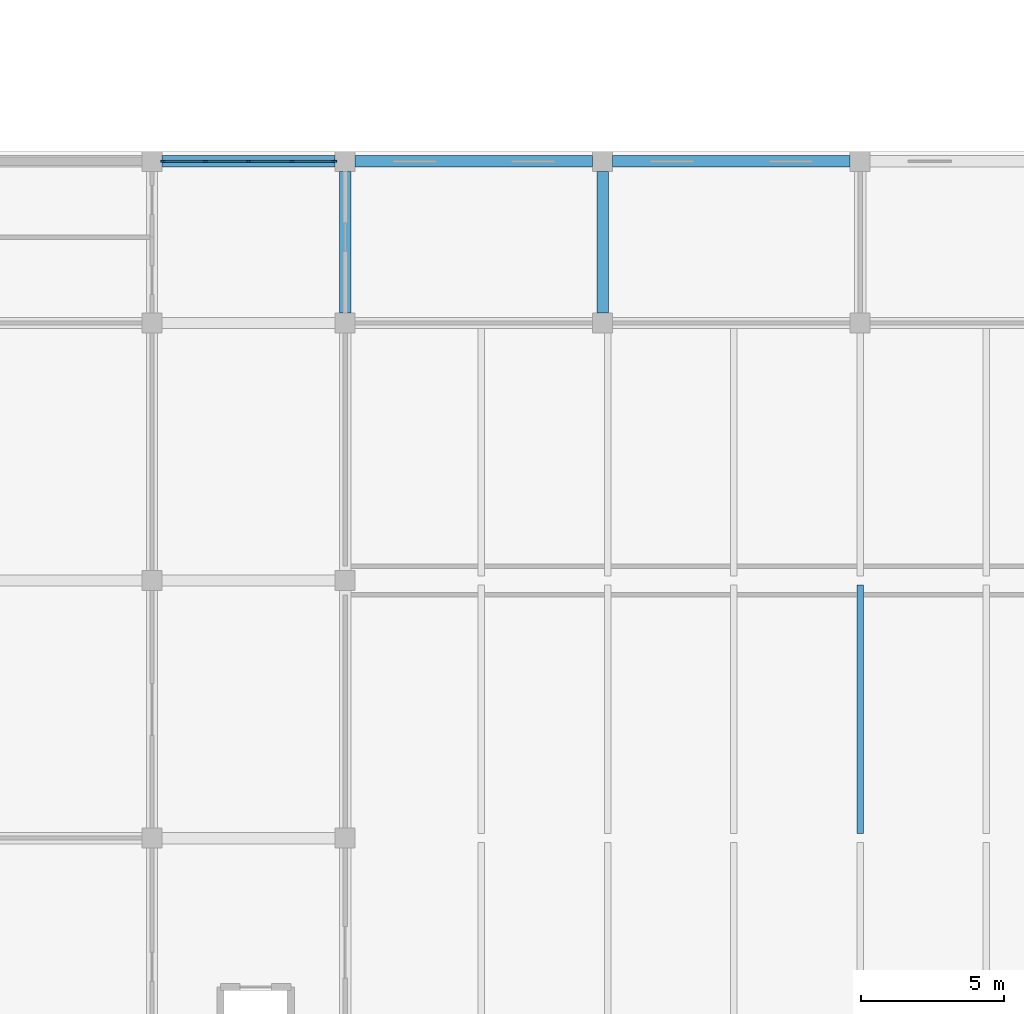
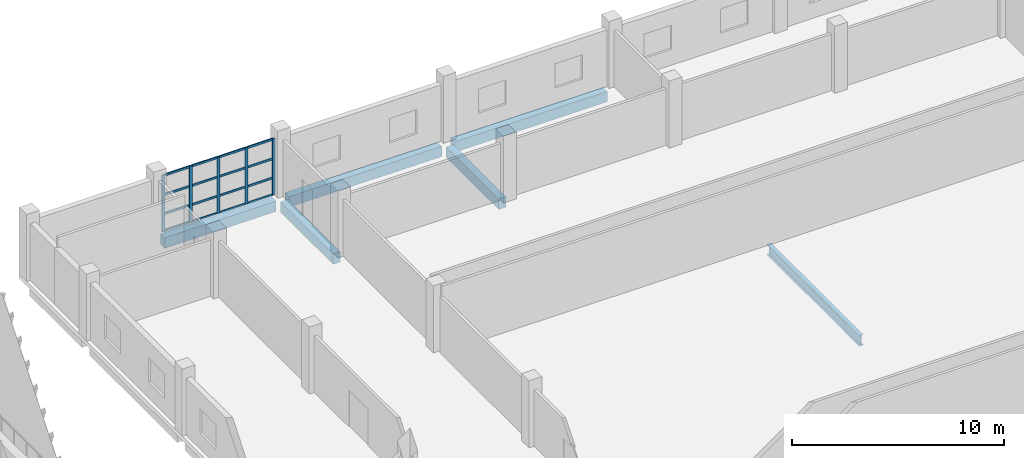
# One storey, part 6 of 31: 21 members, 6 beams, 1 element without a shape of its own.
"""IFC4 building model written with IfcOpenShell, lengths in metres."""

from ifc_helpers import new_model, si_unit, direction, frame, origin, origin_2d, place, context, subcontext, project, spatial, rectangle, i_section, extrude, material, layer, layer_set, material_profile, profile_set, type_object, element, aggregate, save


model = new_model("IFC4")

# Units and contexts
model_context = context("Model", 3, precision=1e-05, world=origin(), true_north=direction((0.0, 1.0)))
body_context = subcontext(model_context, "Body", "Model", "MODEL_VIEW")
ifc_project = project(units=[si_unit("LENGTHUNIT", "METRE"), si_unit("AREAUNIT", "SQUARE_METRE"), si_unit("VOLUMEUNIT", "CUBIC_METRE"), si_unit("PLANEANGLEUNIT", "RADIAN"), si_unit("MASSUNIT", "GRAM", prefix="KILO")], contexts=[model_context])

# Site, building, storey
site_placement = place(None, origin())
site = spatial("IfcSite", under=ifc_project, at=site_placement, CompositionType="ELEMENT")
building_placement = place(site_placement, origin())
building = spatial("IfcBuilding", under=site, at=building_placement, Name="Corbel Stack Research Tower", CompositionType="ELEMENT")
storey_placement = place(building_placement, frame((0.0, 0.0, 15.39990234375)))
storey = spatial("IfcBuildingStorey", under=building, at=storey_placement, Name="L03", CompositionType="ELEMENT", Elevation=15.39990234375)

# Curtain wall, members
ifc_material_1 = material(Name="Aluminium", Category="aluminium")
ifc_layer = layer(ifc_material_1, 0.14990234375)
ifc_layer_set = layer_set([ifc_layer], Name="Aluminium")
curtain_wall_type = type_object("IfcCurtainWallType", Name="CW5 main facade curtain wall", PredefinedType="NOTDEFINED", material=ifc_layer_set)
curtain_wall_placement = place(storey_placement, origin())
curtain_wall = element("IfcCurtainWall", 1, at=curtain_wall_placement, inside=storey, type_object=curtain_wall_type, Name="Main facade curtain wall L03 2", PredefinedType="NOTDEFINED")
ifc_material_2 = material(Name="Aluminium", Category="aluminium")
ifc_material_profile_1 = material_profile(ifc_material_2, rectangle(XDim=0.06005859375, YDim=0.159912109375, at=origin_2d()), Name="Mullion 60 x 160")
ifc_profile_set_1 = profile_set([ifc_material_profile_1], Name="Aluminium")
member_type_1 = type_object("IfcMemberType", Name="CW5 mullion 60 x 160", PredefinedType="MULLION", material=ifc_profile_set_1)
member_1_placement = place(storey_placement, frame((44.580078125, 23.64990234375, 0.0), z_axis=(0.0, 0.0, 1.0), x_axis=(0.0, 1.0, 0.0)))
member_1 = element("IfcMember", 2, at=member_1_placement, type_object=member_type_1, Name="CW5 mullion 1", PredefinedType="MULLION", context=body_context, shape_type="SweptSolid", body=[
    extrude(rectangle(XDim=0.06005859375, YDim=0.159912109375, at=origin_2d()), origin(), (0.0, 0.0, 1.0), 3.25),
])
member_2_placement = place(storey_placement, frame((46.0625, 23.64990234375, 0.0), z_axis=(0.0, 0.0, 1.0), x_axis=(0.0, 1.0, 0.0)))
member_2 = element("IfcMember", 3, at=member_2_placement, type_object=member_type_1, Name="CW5 mullion 2", PredefinedType="MULLION", context=body_context, shape_type="SweptSolid", body=[
    extrude(rectangle(XDim=0.06005859375, YDim=0.159912109375, at=origin_2d()), origin(), (0.0, 0.0, 1.0), 3.25),
])
member_3_placement = place(storey_placement, frame((47.574951171875, 23.64990234375, 0.0), z_axis=(0.0, 0.0, 1.0), x_axis=(0.0, 1.0, 0.0)))
member_3 = element("IfcMember", 4, at=member_3_placement, type_object=member_type_1, Name="CW5 mullion 3", PredefinedType="MULLION", context=body_context, shape_type="SweptSolid", body=[
    extrude(rectangle(XDim=0.06005859375, YDim=0.159912109375, at=origin_2d()), origin(), (0.0, 0.0, 1.0), 3.25),
])
member_4_placement = place(storey_placement, frame((49.08740234375, 23.64990234375, 0.0), z_axis=(0.0, 0.0, 1.0), x_axis=(0.0, 1.0, 0.0)))
member_4 = element("IfcMember", 5, at=member_4_placement, type_object=member_type_1, Name="CW5 mullion 4", PredefinedType="MULLION", context=body_context, shape_type="SweptSolid", body=[
    extrude(rectangle(XDim=0.06005859375, YDim=0.159912109375, at=origin_2d()), origin(), (0.0, 0.0, 1.0), 3.25),
])
member_5_placement = place(storey_placement, frame((50.570068359375, 23.64990234375, 0.0), z_axis=(0.0, 0.0, 1.0), x_axis=(0.0, 1.0, 0.0)))
member_5 = element("IfcMember", 6, at=member_5_placement, type_object=member_type_1, Name="CW5 mullion 5", PredefinedType="MULLION", context=body_context, shape_type="SweptSolid", body=[
    extrude(rectangle(XDim=0.06005859375, YDim=0.159912109375, at=origin_2d()), origin(), (0.0, 0.0, 1.0), 3.25),
])
ifc_material_3 = material(Name="Aluminium", Category="aluminium")
ifc_material_profile_2 = material_profile(ifc_material_3, rectangle(XDim=0.06005859375, YDim=0.1201171875, at=origin_2d()), Name="Transom 60 x 120")
ifc_profile_set_2 = profile_set([ifc_material_profile_2], Name="Aluminium")
member_type_2 = type_object("IfcMemberType", Name="CW5 transom 60 x 120", PredefinedType="USERDEFINED", material=ifc_profile_set_2)
member_6_placement = place(storey_placement, frame((44.610107421875, 23.64990234375, 0.030029296875), z_axis=(1.0, 0.0, 0.0), x_axis=(0.0, 1.0, 0.0)))
member_6 = element("IfcMember", 7, at=member_6_placement, type_object=member_type_2, Name="CW5 transom 1.1", ObjectType="TRANSOM", PredefinedType="USERDEFINED", context=body_context, shape_type="SweptSolid", body=[
    extrude(rectangle(XDim=0.06005859375, YDim=0.1201171875, at=origin_2d()), origin(), (0.0, 0.0, 1.0), 1.42236328125),
])
member_7_placement = place(storey_placement, frame((44.610107421875, 23.64990234375, 1.0), z_axis=(1.0, 0.0, 0.0), x_axis=(0.0, 1.0, 0.0)))
member_7 = element("IfcMember", 8, at=member_7_placement, type_object=member_type_2, Name="CW5 transom 1.2", ObjectType="TRANSOM", PredefinedType="USERDEFINED", context=body_context, shape_type="SweptSolid", body=[
    extrude(rectangle(XDim=0.06005859375, YDim=0.1201171875, at=origin_2d()), origin(), (0.0, 0.0, 1.0), 1.42236328125),
])
member_8_placement = place(storey_placement, frame((44.610107421875, 23.64990234375, 2.10009765625), z_axis=(1.0, 0.0, 0.0), x_axis=(0.0, 1.0, 0.0)))
member_8 = element("IfcMember", 9, at=member_8_placement, type_object=member_type_2, Name="CW5 transom 1.3", ObjectType="TRANSOM", PredefinedType="USERDEFINED", context=body_context, shape_type="SweptSolid", body=[
    extrude(rectangle(XDim=0.06005859375, YDim=0.1201171875, at=origin_2d()), origin(), (0.0, 0.0, 1.0), 1.42236328125),
])
member_9_placement = place(storey_placement, frame((44.610107421875, 23.64990234375, 3.22021484375), z_axis=(1.0, 0.0, 0.0), x_axis=(0.0, 1.0, 0.0)))
member_9 = element("IfcMember", 10, at=member_9_placement, type_object=member_type_2, Name="CW5 transom 1.4", ObjectType="TRANSOM", PredefinedType="USERDEFINED", context=body_context, shape_type="SweptSolid", body=[
    extrude(rectangle(XDim=0.06005859375, YDim=0.1201171875, at=origin_2d()), origin(), (0.0, 0.0, 1.0), 1.42236328125),
])
member_10_placement = place(storey_placement, frame((46.092529296875, 23.64990234375, 0.030029296875), z_axis=(1.0, 0.0, 0.0), x_axis=(0.0, 1.0, 0.0)))
member_10 = element("IfcMember", 11, at=member_10_placement, type_object=member_type_2, Name="CW5 transom 2.1", ObjectType="TRANSOM", PredefinedType="USERDEFINED", context=body_context, shape_type="SweptSolid", body=[
    extrude(rectangle(XDim=0.06005859375, YDim=0.1201171875, at=origin_2d()), origin(), (0.0, 0.0, 1.0), 1.452392578125),
])
member_11_placement = place(storey_placement, frame((46.092529296875, 23.64990234375, 1.0), z_axis=(1.0, 0.0, 0.0), x_axis=(0.0, 1.0, 0.0)))
member_11 = element("IfcMember", 12, at=member_11_placement, type_object=member_type_2, Name="CW5 transom 2.2", ObjectType="TRANSOM", PredefinedType="USERDEFINED", context=body_context, shape_type="SweptSolid", body=[
    extrude(rectangle(XDim=0.06005859375, YDim=0.1201171875, at=origin_2d()), origin(), (0.0, 0.0, 1.0), 1.452392578125),
])
member_12_placement = place(storey_placement, frame((46.092529296875, 23.64990234375, 2.10009765625), z_axis=(1.0, 0.0, 0.0), x_axis=(0.0, 1.0, 0.0)))
member_12 = element("IfcMember", 13, at=member_12_placement, type_object=member_type_2, Name="CW5 transom 2.3", ObjectType="TRANSOM", PredefinedType="USERDEFINED", context=body_context, shape_type="SweptSolid", body=[
    extrude(rectangle(XDim=0.06005859375, YDim=0.1201171875, at=origin_2d()), origin(), (0.0, 0.0, 1.0), 1.452392578125),
])
member_13_placement = place(storey_placement, frame((46.092529296875, 23.64990234375, 3.22021484375), z_axis=(1.0, 0.0, 0.0), x_axis=(0.0, 1.0, 0.0)))
member_13 = element("IfcMember", 14, at=member_13_placement, type_object=member_type_2, Name="CW5 transom 2.4", ObjectType="TRANSOM", PredefinedType="USERDEFINED", context=body_context, shape_type="SweptSolid", body=[
    extrude(rectangle(XDim=0.06005859375, YDim=0.1201171875, at=origin_2d()), origin(), (0.0, 0.0, 1.0), 1.452392578125),
])
member_14_placement = place(storey_placement, frame((47.60498046875, 23.64990234375, 0.030029296875), z_axis=(1.0, 0.0, 0.0), x_axis=(0.0, 1.0, 0.0)))
member_14 = element("IfcMember", 15, at=member_14_placement, type_object=member_type_2, Name="CW5 transom 3.1", ObjectType="TRANSOM", PredefinedType="USERDEFINED", context=body_context, shape_type="SweptSolid", body=[
    extrude(rectangle(XDim=0.06005859375, YDim=0.1201171875, at=origin_2d()), origin(), (0.0, 0.0, 1.0), 1.45263671875),
])
member_15_placement = place(storey_placement, frame((47.60498046875, 23.64990234375, 1.0), z_axis=(1.0, 0.0, 0.0), x_axis=(0.0, 1.0, 0.0)))
member_15 = element("IfcMember", 16, at=member_15_placement, type_object=member_type_2, Name="CW5 transom 3.2", ObjectType="TRANSOM", PredefinedType="USERDEFINED", context=body_context, shape_type="SweptSolid", body=[
    extrude(rectangle(XDim=0.06005859375, YDim=0.1201171875, at=origin_2d()), origin(), (0.0, 0.0, 1.0), 1.45263671875),
])
member_16_placement = place(storey_placement, frame((47.60498046875, 23.64990234375, 2.10009765625), z_axis=(1.0, 0.0, 0.0), x_axis=(0.0, 1.0, 0.0)))
member_16 = element("IfcMember", 17, at=member_16_placement, type_object=member_type_2, Name="CW5 transom 3.3", ObjectType="TRANSOM", PredefinedType="USERDEFINED", context=body_context, shape_type="SweptSolid", body=[
    extrude(rectangle(XDim=0.06005859375, YDim=0.1201171875, at=origin_2d()), origin(), (0.0, 0.0, 1.0), 1.45263671875),
])
member_17_placement = place(storey_placement, frame((47.60498046875, 23.64990234375, 3.22021484375), z_axis=(1.0, 0.0, 0.0), x_axis=(0.0, 1.0, 0.0)))
member_17 = element("IfcMember", 18, at=member_17_placement, type_object=member_type_2, Name="CW5 transom 3.4", ObjectType="TRANSOM", PredefinedType="USERDEFINED", context=body_context, shape_type="SweptSolid", body=[
    extrude(rectangle(XDim=0.06005859375, YDim=0.1201171875, at=origin_2d()), origin(), (0.0, 0.0, 1.0), 1.45263671875),
])
member_18_placement = place(storey_placement, frame((49.117431640625, 23.64990234375, 0.030029296875), z_axis=(1.0, 0.0, 0.0), x_axis=(0.0, 1.0, 0.0)))
member_18 = element("IfcMember", 19, at=member_18_placement, type_object=member_type_2, Name="CW5 transom 4.1", ObjectType="TRANSOM", PredefinedType="USERDEFINED", context=body_context, shape_type="SweptSolid", body=[
    extrude(rectangle(XDim=0.06005859375, YDim=0.1201171875, at=origin_2d()), origin(), (0.0, 0.0, 1.0), 1.422607421875),
])
member_19_placement = place(storey_placement, frame((49.117431640625, 23.64990234375, 1.0), z_axis=(1.0, 0.0, 0.0), x_axis=(0.0, 1.0, 0.0)))
member_19 = element("IfcMember", 20, at=member_19_placement, type_object=member_type_2, Name="CW5 transom 4.2", ObjectType="TRANSOM", PredefinedType="USERDEFINED", context=body_context, shape_type="SweptSolid", body=[
    extrude(rectangle(XDim=0.06005859375, YDim=0.1201171875, at=origin_2d()), origin(), (0.0, 0.0, 1.0), 1.422607421875),
])
member_20_placement = place(storey_placement, frame((49.117431640625, 23.64990234375, 2.10009765625), z_axis=(1.0, 0.0, 0.0), x_axis=(0.0, 1.0, 0.0)))
member_20 = element("IfcMember", 21, at=member_20_placement, type_object=member_type_2, Name="CW5 transom 4.3", ObjectType="TRANSOM", PredefinedType="USERDEFINED", context=body_context, shape_type="SweptSolid", body=[
    extrude(rectangle(XDim=0.06005859375, YDim=0.1201171875, at=origin_2d()), origin(), (0.0, 0.0, 1.0), 1.422607421875),
])
member_21_placement = place(storey_placement, frame((49.117431640625, 23.64990234375, 3.22021484375), z_axis=(1.0, 0.0, 0.0), x_axis=(0.0, 1.0, 0.0)))
member_21 = element("IfcMember", 22, at=member_21_placement, type_object=member_type_2, Name="CW5 transom 4.4", ObjectType="TRANSOM", PredefinedType="USERDEFINED", context=body_context, shape_type="SweptSolid", body=[
    extrude(rectangle(XDim=0.06005859375, YDim=0.1201171875, at=origin_2d()), origin(), (0.0, 0.0, 1.0), 1.422607421875),
])
aggregate(curtain_wall, [member_1, member_2, member_3, member_4, member_5, member_6, member_7, member_8, member_9, member_10, member_11, member_12, member_13, member_14, member_15, member_16, member_17, member_18, member_19, member_20, member_21])

# Beams
ifc_material_4 = material(Name="Concrete C40/50", Category="concrete")
ifc_material_profile_3 = material_profile(ifc_material_4, rectangle(XDim=0.39990234375, YDim=0.60009765625, at=origin_2d()), Name="RC 400 x 600")
ifc_profile_set_3 = profile_set([ifc_material_profile_3], Name="Concrete C40/50")
beam_type_1 = type_object("IfcBeamType", Name="HB1 RC beam 400 x 600", PredefinedType="BEAM", material=ifc_profile_set_3)
beam_1_placement = place(storey_placement, frame((44.550048828125, 23.64990234375, -0.5498046875), z_axis=(1.0, 0.0, 0.0), x_axis=(0.0, 1.0, 0.0)))
element("IfcBeam", 23, at=beam_1_placement, inside=storey, type_object=beam_type_1, Name="Floor beam L03 H2HG-H3HG", PredefinedType="BEAM", context=body_context, shape_type="SweptSolid", body=[
    extrude(rectangle(XDim=0.39990234375, YDim=0.60009765625, at=origin_2d()), origin(), (0.0, 0.0, 1.0), 6.050048828125),
])
beam_2_placement = place(storey_placement, frame((50.949951171875, 18.35009765625, -0.5498046875), z_axis=(0.0, 1.0, 0.0), x_axis=(-1.0, 0.0, 0.0)))
element("IfcBeam", 24, at=beam_2_placement, inside=storey, type_object=beam_type_1, Name="Floor beam L03 H3HF-H3HG", PredefinedType="BEAM", context=body_context, shape_type="SweptSolid", body=[
    extrude(rectangle(XDim=0.39990234375, YDim=0.60009765625, at=origin_2d()), origin(), (0.0, 0.0, 1.0), 4.949951171875),
])
beam_3_placement = place(storey_placement, frame((51.300048828125, 23.64990234375, -0.5498046875), z_axis=(1.0, 0.0, 0.0), x_axis=(0.0, 1.0, 0.0)))
element("IfcBeam", 25, at=beam_3_placement, inside=storey, type_object=beam_type_1, Name="Floor beam L03 H3HG-H4HG", PredefinedType="BEAM", context=body_context, shape_type="SweptSolid", body=[
    extrude(rectangle(XDim=0.39990234375, YDim=0.60009765625, at=origin_2d()), origin(), (0.0, 0.0, 1.0), 8.300048828125),
])
beam_4_placement = place(storey_placement, frame((59.949951171875, 18.35009765625, -0.5498046875), z_axis=(0.0, 1.0, 0.0), x_axis=(-1.0, 0.0, 0.0)))
element("IfcBeam", 26, at=beam_4_placement, inside=storey, type_object=beam_type_1, Name="Floor beam L03 H4HF-H4HG", PredefinedType="BEAM", context=body_context, shape_type="SweptSolid", body=[
    extrude(rectangle(XDim=0.39990234375, YDim=0.60009765625, at=origin_2d()), origin(), (0.0, 0.0, 1.0), 4.949951171875),
])
beam_5_placement = place(storey_placement, frame((60.300048828125, 23.64990234375, -0.5498046875), z_axis=(1.0, 0.0, 0.0), x_axis=(0.0, 1.0, 0.0)))
element("IfcBeam", 27, at=beam_5_placement, inside=storey, type_object=beam_type_1, Name="Floor beam L03 H4HG-H5HG", PredefinedType="BEAM", context=body_context, shape_type="SweptSolid", body=[
    extrude(rectangle(XDim=0.39990234375, YDim=0.60009765625, at=origin_2d()), origin(), (0.0, 0.0, 1.0), 8.300048828125),
])
ifc_material_5 = material(Name="Steel S355", Category="steel")
ifc_material_profile_4 = material_profile(ifc_material_5, i_section(OverallWidth=0.22802734375, OverallDepth=0.60302734375, WebThickness=0.010986328125, FlangeThickness=0.014892578125, at=origin_2d()), Name="W24x68")
ifc_profile_set_4 = profile_set([ifc_material_profile_4], Name="Steel S355")
beam_type_2 = type_object("IfcBeamType", Name="HB2 steel beam W24x68", PredefinedType="BEAM", material=ifc_profile_set_4)
beam_6_placement = place(storey_placement, frame((68.949951171875, 0.152587890625, -0.551513671875), z_axis=(0.0, 1.0, 0.0), x_axis=(-1.0, 0.0, 0.0)))
element("IfcBeam", 28, at=beam_6_placement, inside=storey, type_object=beam_type_2, Name="Steel floor beam L03 bay 3 line 4", PredefinedType="BEAM", context=body_context, shape_type="SweptSolid", body=[
    extrude(i_section(OverallWidth=0.22802734375, OverallDepth=0.60302734375, WebThickness=0.010986328125, FlangeThickness=0.014892578125, at=origin_2d()), origin(), (0.0, 0.0, 1.0), 8.69482421875),
])

save(model, "model.ifc")
